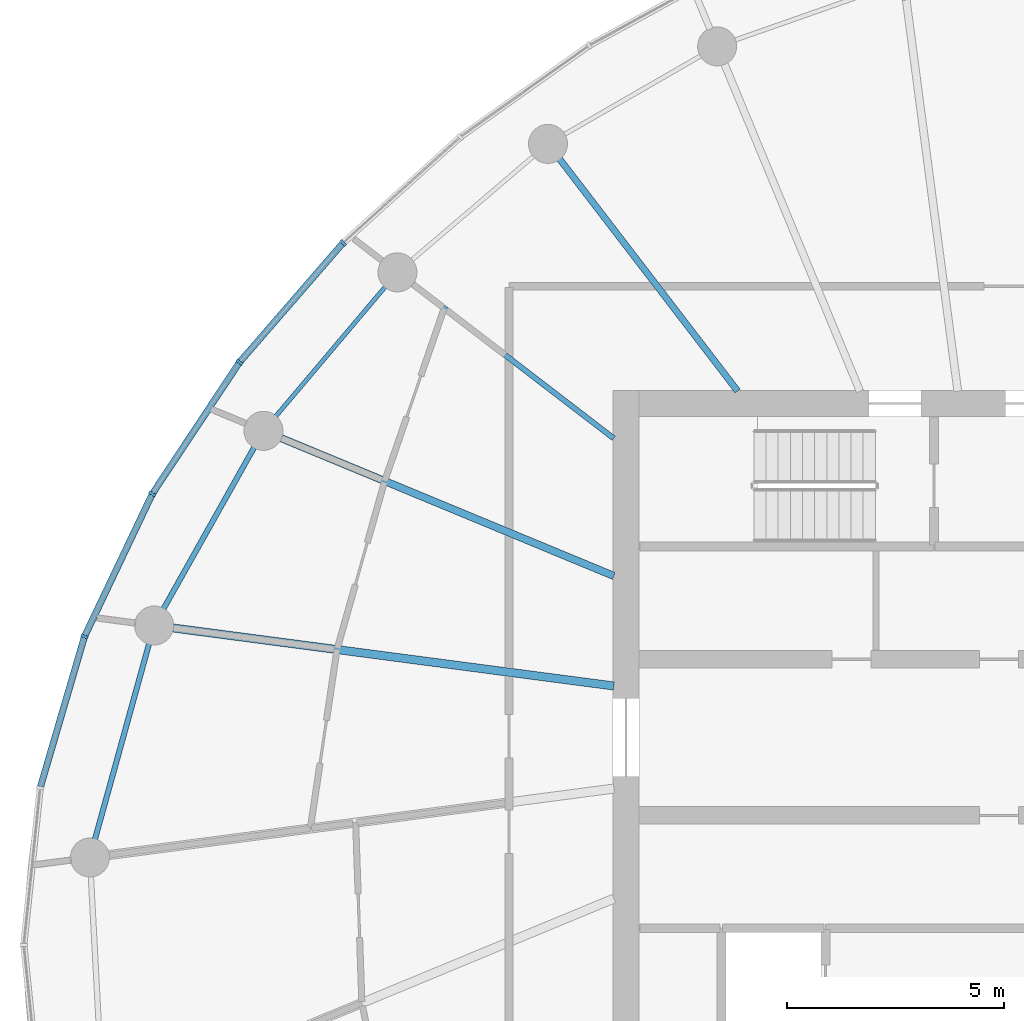
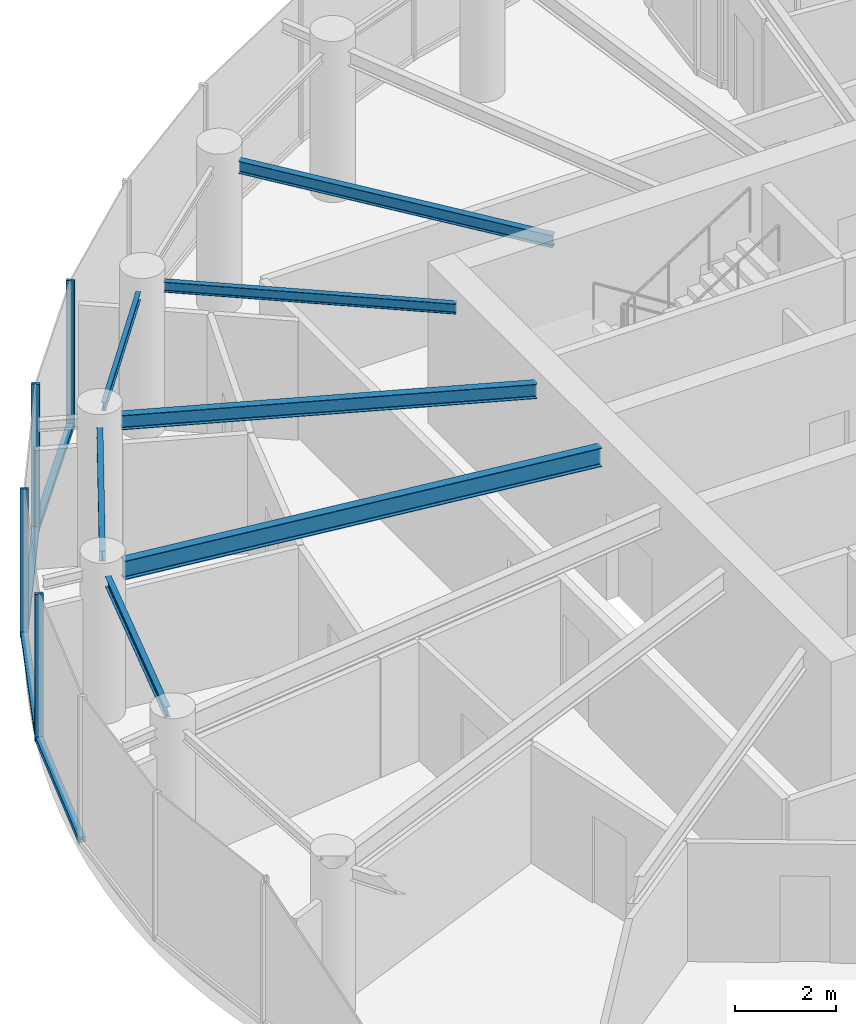
# One storey, part 4 of 17: 8 members, 7 beams, 2 elements without a shape of their own.
"""IFC4 building model written with IfcOpenShell, lengths in metres."""

from ifc_helpers import new_model, si_unit, direction, frame, origin, origin_2d, place, context, subcontext, project, spatial, rectangle, i_section, extrude, source, transform, mapped, material, layer, layer_set, material_profile, profile_set, type_object, element, aggregate, save


model = new_model("IFC4")

# Units and contexts
model_context = context("Model", 3, precision=1e-05, world=origin(), true_north=direction((0.0, 1.0)))
body_context = subcontext(model_context, "Body", "Model", "MODEL_VIEW")
ifc_project = project(units=[si_unit("LENGTHUNIT", "METRE"), si_unit("AREAUNIT", "SQUARE_METRE"), si_unit("VOLUMEUNIT", "CUBIC_METRE"), si_unit("PLANEANGLEUNIT", "RADIAN"), si_unit("MASSUNIT", "GRAM", prefix="KILO")], contexts=[model_context])

# Site, building, storey
site_placement = place(None, origin())
site = spatial("IfcSite", under=ifc_project, at=site_placement, CompositionType="ELEMENT")
building_placement = place(site_placement, origin())
building = spatial("IfcBuilding", under=site, at=building_placement, Name="Spindrift Exchange Tower", CompositionType="ELEMENT")
storey_placement = place(building_placement, frame((0.0, 0.0, 187.699951171875)))
storey = spatial("IfcBuildingStorey", under=building, at=storey_placement, Name="L45", CompositionType="ELEMENT", Elevation=187.699951171875)

# Beams
ifc_material_1 = material(Name="Steel Grade 300", Category="steel")
ifc_material_profile_1 = material_profile(ifc_material_1, i_section(OverallWidth=0.14892578125, OverallDepth=0.298095703125, WebThickness=0.005615234375, FlangeThickness=0.008056640625, FilletRadius=0.012939453125, at=origin_2d()), Name="310UB32.0")
ifc_profile_set_1 = profile_set([ifc_material_profile_1], Name="Steel Grade 300")
beam_type_1 = type_object("IfcBeamType", Name="Floor Beam 310UB32.0 Steel Grade 300", PredefinedType="BEAM", material=ifc_profile_set_1)
shared_shape_1 = source(origin(), body_context, "Body", "SweptSolid", [
    extrude(i_section(OverallWidth=0.14892578125, OverallDepth=0.298095703125, WebThickness=0.005615234375, FlangeThickness=0.008056640625, FilletRadius=0.012939453125, at=origin_2d()), origin(), (0.0, 0.0, 1.0), 6.753173828125),
])
beam_1_placement = place(storey_placement, frame((45.87353515625, 55.984130859375, 3.43115234375), z_axis=(-0.608761639459, 0.793353178807, 0.0), x_axis=(-0.793353178807, -0.608761639459, 0.0)))
element("IfcBeam", 1, at=beam_1_placement, inside=storey, type_object=beam_type_1, Name="L45 radial beam R09A", PredefinedType="BEAM", context=body_context, shape_type="MappedRepresentation", body=[
    mapped(shared_shape_1, transform((0.0, 0.0, 0.0), scale=1.0)),
])
ifc_material_profile_2 = material_profile(ifc_material_1, i_section(OverallWidth=0.1240234375, OverallDepth=0.248046875, WebThickness=0.0048828125, FlangeThickness=0.008056640625, FilletRadius=0.011962890625, at=origin_2d()), Name="250UB25.7")
ifc_profile_set_2 = profile_set([ifc_material_profile_2], Name="Steel Grade 300")
beam_type_2 = type_object("IfcBeamType", Name="Floor Beam 250UB25.7 Steel Grade 300", PredefinedType="BEAM", material=ifc_profile_set_2)
shared_shape_2 = source(origin(), body_context, "Body", "SweptSolid", [
    extrude(i_section(OverallWidth=0.1240234375, OverallDepth=0.248046875, WebThickness=0.0048828125, FlangeThickness=0.008056640625, FilletRadius=0.011962890625, at=origin_2d()), origin(), (0.0, 0.0, 1.0), 5.855712890625),
])
beam_2_placement = place(storey_placement, frame((43.015869140625, 54.893798828125, 3.4560546875), z_axis=(-0.793362708479, 0.608749219954, 0.0), x_axis=(-0.608749219954, -0.793362708479, 0.0)))
element("IfcBeam", 2, at=beam_2_placement, inside=storey, type_object=beam_type_2, Name="L45 radial beam R10A", PredefinedType="BEAM", context=body_context, shape_type="MappedRepresentation", body=[
    mapped(shared_shape_2, transform((0.0, 0.0, 0.0), scale=1.0)),
])
ifc_material_profile_3 = material_profile(ifc_material_1, i_section(OverallWidth=0.1708984375, OverallDepth=0.35205078125, WebThickness=0.0068359375, FlangeThickness=0.009765625, FilletRadius=0.013916015625, at=origin_2d()), Name="360UB44.7")
ifc_profile_set_3 = profile_set([ifc_material_profile_3], Name="Steel Grade 300")
beam_type_3 = type_object("IfcBeamType", Name="Floor Beam 360UB44.7 Steel Grade 300", PredefinedType="BEAM", material=ifc_profile_set_3)
shared_shape_3 = source(origin(), body_context, "Body", "SweptSolid", [
    extrude(i_section(OverallWidth=0.1708984375, OverallDepth=0.35205078125, WebThickness=0.0068359375, FlangeThickness=0.009765625, FilletRadius=0.013916015625, at=origin_2d()), origin(), (0.0, 0.0, 1.0), 8.3134765625),
])
beam_3_placement = place(storey_placement, frame((43.0185546875, 51.72021484375, 3.404052734375), z_axis=(-0.923881179957, 0.382679455055, 0.0), x_axis=(-0.382679455055, -0.923881179957, 0.0)))
element("IfcBeam", 3, at=beam_3_placement, inside=storey, type_object=beam_type_3, Name="L45 radial beam R11A", PredefinedType="BEAM", context=body_context, shape_type="MappedRepresentation", body=[
    mapped(shared_shape_3, transform((0.0, 0.0, 0.0), scale=1.0)),
])
ifc_material_profile_4 = material_profile(ifc_material_1, i_section(OverallWidth=0.18994140625, OverallDepth=0.4541015625, WebThickness=0.008544921875, FlangeThickness=0.0126953125, FilletRadius=0.013916015625, at=origin_2d()), Name="460UB67.1")
ifc_profile_set_4 = profile_set([ifc_material_profile_4], Name="Steel Grade 300")
beam_type_4 = type_object("IfcBeamType", Name="Floor Beam 460UB67.1 Steel Grade 300", PredefinedType="BEAM", material=ifc_profile_set_4)
shared_shape_4 = source(origin(), body_context, "Body", "SweptSolid", [
    extrude(i_section(OverallWidth=0.18994140625, OverallDepth=0.4541015625, WebThickness=0.008544921875, FlangeThickness=0.0126953125, FilletRadius=0.013916015625, at=origin_2d()), origin(), (0.0, 0.0, 1.0), 10.262451171875),
])
beam_4_placement = place(storey_placement, frame((43.019775390625, 49.182373046875, 3.35302734375), z_axis=(-0.991446763371, 0.130511744304, 0.0), x_axis=(-0.130511744304, -0.991446763371, 0.0)))
element("IfcBeam", 4, at=beam_4_placement, inside=storey, type_object=beam_type_4, Name="L45 radial beam R12A", PredefinedType="BEAM", context=body_context, shape_type="MappedRepresentation", body=[
    mapped(shared_shape_4, transform((0.0, 0.0, 0.0), scale=1.0)),
])
ifc_material_profile_5 = material_profile(ifc_material_1, i_section(OverallWidth=0.09912109375, OverallDepth=0.197998046875, WebThickness=0.00439453125, FlangeThickness=0.007080078125, FilletRadius=0.010986328125, at=origin_2d()), Name="200UB18.2")
ifc_profile_set_5 = profile_set([ifc_material_profile_5], Name="Steel Grade 300")
beam_type_5 = type_object("IfcBeamType", Name="Edge Beam 200UB18.2 Steel Grade 300", PredefinedType="SPANDREL", material=ifc_profile_set_5)
shared_shape_5 = source(origin(), body_context, "Body", "SweptSolid", [
    extrude(i_section(OverallWidth=0.09912109375, OverallDepth=0.197998046875, WebThickness=0.00439453125, FlangeThickness=0.007080078125, FilletRadius=0.010986328125, at=origin_2d()), origin(), (0.0, 0.0, 1.0), 3.92431640625),
])
beam_5_placement = place(storey_placement, frame((37.75146484375, 58.391845703125, 3.48095703125), z_axis=(-0.645498720032, -0.763761351757, 0.0), x_axis=(0.763761351757, -0.645498720032, 0.0)))
element("IfcBeam", 5, at=beam_5_placement, inside=storey, type_object=beam_type_5, Name="L45 edge beam E10", PredefinedType="SPANDREL", context=body_context, shape_type="MappedRepresentation", body=[
    mapped(shared_shape_5, transform((0.0, 0.0, 0.0), scale=1.0)),
])
ifc_material_profile_6 = material_profile(ifc_material_1, i_section(OverallWidth=0.1240234375, OverallDepth=0.248046875, WebThickness=0.0048828125, FlangeThickness=0.008056640625, FilletRadius=0.011962890625, at=origin_2d()), Name="250UB25.7")
ifc_profile_set_6 = profile_set([ifc_material_profile_6], Name="Steel Grade 300")
beam_type_6 = type_object("IfcBeamType", Name="Edge Beam 250UB25.7 Steel Grade 300", PredefinedType="SPANDREL", material=ifc_profile_set_6)
shared_shape_6 = source(origin(), body_context, "Body", "SweptSolid", [
    extrude(i_section(OverallWidth=0.1240234375, OverallDepth=0.248046875, WebThickness=0.0048828125, FlangeThickness=0.008056640625, FilletRadius=0.011962890625, at=origin_2d()), origin(), (0.0, 0.0, 1.0), 4.2880859375),
])
beam_6_placement = place(storey_placement, frame((34.72998046875, 54.69140625, 3.4560546875), z_axis=(-0.489804347673, -0.871832381253, 0.0), x_axis=(0.871832381253, -0.489804347673, 0.0)))
element("IfcBeam", 6, at=beam_6_placement, inside=storey, type_object=beam_type_6, Name="L45 edge beam E11", PredefinedType="SPANDREL", context=body_context, shape_type="MappedRepresentation", body=[
    mapped(shared_shape_6, transform((0.0, 0.0, 0.0), scale=1.0)),
])
shared_shape_7 = source(origin(), body_context, "Body", "SweptSolid", [
    extrude(i_section(OverallWidth=0.1240234375, OverallDepth=0.248046875, WebThickness=0.0048828125, FlangeThickness=0.008056640625, FilletRadius=0.011962890625, at=origin_2d()), origin(), (0.0, 0.0, 1.0), 4.69189453125),
])
beam_7_placement = place(storey_placement, frame((32.30419921875, 50.16357421875, 3.4560546875), z_axis=(-0.266774248618, -0.963759046792, 0.0), x_axis=(0.963759046792, -0.266774248618, 0.0)))
element("IfcBeam", 7, at=beam_7_placement, inside=storey, type_object=beam_type_6, Name="L45 edge beam E12", PredefinedType="SPANDREL", context=body_context, shape_type="MappedRepresentation", body=[
    mapped(shared_shape_7, transform((0.0, 0.0, 0.0), scale=1.0)),
])

# Curtain wall, member
ifc_material_2 = material(Name="Fritted laminated glass with bronze frame", Category="glass")
ifc_layer = layer(ifc_material_2, 0.169921875)
ifc_layer_set = layer_set([ifc_layer], Name="ZONE 4 BRONZE FRITTED WALL")
curtain_wall_type = type_object("IfcCurtainWallType", Name="ZONE 4 BRONZE FRITTED WALL", PredefinedType="NOTDEFINED", material=ifc_layer_set)
curtain_wall_1_placement = place(storey_placement, origin())
curtain_wall_1 = element("IfcCurtainWall", 8, at=curtain_wall_1_placement, inside=storey, type_object=curtain_wall_type, Name="L45 Zone 4 Bronze Fritted Wall run 1", PredefinedType="NOTDEFINED")
ifc_material_3 = material(Name="Bronze anodised aluminium", Category="aluminium")
ifc_material_profile_7 = material_profile(ifc_material_3, rectangle(XDim=0.14990234375, YDim=0.125, at=origin_2d()), Name="ZONE 4 BRONZE FRITTED WALL TRANSOM 150X125")
ifc_profile_set_7 = profile_set([ifc_material_profile_7], Name="Bronze anodised aluminium")
member_type_1 = type_object("IfcMemberType", Name="ZONE 4 BRONZE FRITTED WALL TRANSOM 150X125", PredefinedType="USERDEFINED", material=ifc_profile_set_7)
shared_shape_8 = source(origin(), body_context, "Body", "SweptSolid", [
    extrude(rectangle(XDim=0.14990234375, YDim=0.125, at=origin_2d()), origin(), (0.0, 0.0, 1.0), 3.57763671875),
])
member_1_placement = place(storey_placement, frame((36.753173828125, 59.375732421875, 0.0625), z_axis=(-0.655242239867, -0.755418828924, 0.0), x_axis=(0.755418828924, -0.655242239867, 0.0)))
member_1 = element("IfcMember", 9, at=member_1_placement, type_object=member_type_1, Name="L45 transom CW-4.6", ObjectType="TRANSOM", PredefinedType="USERDEFINED", context=body_context, shape_type="MappedRepresentation", body=[
    mapped(shared_shape_8, transform((0.0, 0.0, 0.0), scale=1.0)),
])

curtain_wall_2_placement = place(storey_placement, origin())
curtain_wall_2 = element("IfcCurtainWall", 10, at=curtain_wall_2_placement, inside=storey, type_object=curtain_wall_type, Name="L45 Zone 4 Bronze Fritted Wall run 2", PredefinedType="NOTDEFINED")
shared_shape_9 = source(origin(), body_context, "Body", "SweptSolid", [
    extrude(rectangle(XDim=0.14990234375, YDim=0.125, at=origin_2d()), origin(), (0.0, 0.0, 1.0), 3.57666015625),
])
member_2_placement = place(storey_placement, frame((32.362060546875, 53.583251953125, 0.0625), z_axis=(-0.429294895958, -0.903164377234, 0.0), x_axis=(0.903164377234, -0.429294895958, 0.0)))
member_2 = element("IfcMember", 11, at=member_2_placement, type_object=member_type_1, Name="L45 transom CW-4.8", ObjectType="TRANSOM", PredefinedType="USERDEFINED", context=body_context, shape_type="MappedRepresentation", body=[
    mapped(shared_shape_9, transform((0.0, 0.0, 0.0), scale=1.0)),
])

# Member
ifc_material_profile_8 = material_profile(ifc_material_3, rectangle(XDim=0.06494140625, YDim=0.169921875, at=origin_2d()), Name="ZONE 4 BRONZE FRITTED WALL MULLION 65X170")
ifc_profile_set_8 = profile_set([ifc_material_profile_8], Name="Bronze anodised aluminium")
member_type_2 = type_object("IfcMemberType", Name="ZONE 4 BRONZE FRITTED WALL MULLION 65X170", PredefinedType="MULLION", material=ifc_profile_set_8)
shared_shape_10 = source(origin(), body_context, "Body", "SweptSolid", [
    extrude(rectangle(XDim=0.06494140625, YDim=0.169921875, at=origin_2d()), origin(), (0.0, 0.0, 1.0), 3.580078125),
])
member_3_placement = place(storey_placement, frame((36.7744140625, 59.400146484375, 0.0), z_axis=(0.0, 0.0, 1.0), x_axis=(-0.699862373722, -0.714277717592, 0.0)))
member_3 = element("IfcMember", 12, at=member_3_placement, type_object=member_type_2, Name="L45 mullion CW-4.6", PredefinedType="MULLION", context=body_context, shape_type="MappedRepresentation", body=[
    mapped(shared_shape_10, transform((0.0, 0.0, 0.0), scale=1.0)),
])

aggregate(curtain_wall_1, [member_3, member_1])

member_4_placement = place(storey_placement, frame((34.3876953125, 56.648681640625, 0.0), z_axis=(0.0, 0.0, 1.0), x_axis=(-0.605058573675, -0.796180960852, 0.0)))
member_4 = element("IfcMember", 13, at=member_4_placement, type_object=member_type_2, Name="L45 mullion CW-4.7", PredefinedType="MULLION", context=body_context, shape_type="MappedRepresentation", body=[
    mapped(shared_shape_10, transform((0.0, 0.0, 0.0), scale=1.0)),
])

member_5_placement = place(storey_placement, frame((32.3759765625, 53.612548828125, 0.0), z_axis=(0.0, 0.0, 1.0), x_axis=(-0.492063320349, -0.870559411394, 0.0)))
member_5 = element("IfcMember", 14, at=member_5_placement, type_object=member_type_2, Name="L45 mullion CW-4.8", PredefinedType="MULLION", context=body_context, shape_type="MappedRepresentation", body=[
    mapped(shared_shape_10, transform((0.0, 0.0, 0.0), scale=1.0)),
])

member_6_placement = place(storey_placement, frame((30.8125, 50.323486328125, 0.0), z_axis=(0.0, 0.0, 1.0), x_axis=(-0.356404724494, -0.934331671495, 0.0)))
member_6 = element("IfcMember", 15, at=member_6_placement, type_object=member_type_2, Name="L45 mullion CW-4.9", PredefinedType="MULLION", context=body_context, shape_type="MappedRepresentation", body=[
    mapped(shared_shape_10, transform((0.0, 0.0, 0.0), scale=1.0)),
])

shared_shape_11 = source(origin(), body_context, "Body", "SweptSolid", [
    extrude(rectangle(XDim=0.14990234375, YDim=0.125, at=origin_2d()), origin(), (0.0, 0.0, 1.0), 3.576904296875),
])
member_7_placement = place(storey_placement, frame((34.36962890625, 56.62158203125, 0.0625), z_axis=(-0.552303792515, -0.833642921624, 0.0), x_axis=(0.833642921624, -0.552303792515, 0.0)))
member_7 = element("IfcMember", 16, at=member_7_placement, type_object=member_type_1, Name="L45 transom CW-4.7", ObjectType="TRANSOM", PredefinedType="USERDEFINED", context=body_context, shape_type="MappedRepresentation", body=[
    mapped(shared_shape_11, transform((0.0, 0.0, 0.0), scale=1.0)),
])

shared_shape_12 = source(origin(), body_context, "Body", "SweptSolid", [
    extrude(rectangle(XDim=0.14990234375, YDim=0.125, at=origin_2d()), origin(), (0.0, 0.0, 1.0), 3.57568359375),
])
member_8_placement = place(storey_placement, frame((30.803466796875, 50.29248046875, 0.0625), z_axis=(-0.281234660932, -0.959639028745, 0.0), x_axis=(0.959639028745, -0.281234660932, 0.0)))
member_8 = element("IfcMember", 17, at=member_8_placement, type_object=member_type_1, Name="L45 transom CW-4.9", ObjectType="TRANSOM", PredefinedType="USERDEFINED", context=body_context, shape_type="MappedRepresentation", body=[
    mapped(shared_shape_12, transform((0.0, 0.0, 0.0), scale=1.0)),
])

aggregate(curtain_wall_2, [member_4, member_7, member_5, member_2, member_6, member_8])

save(model, "model.ifc")
